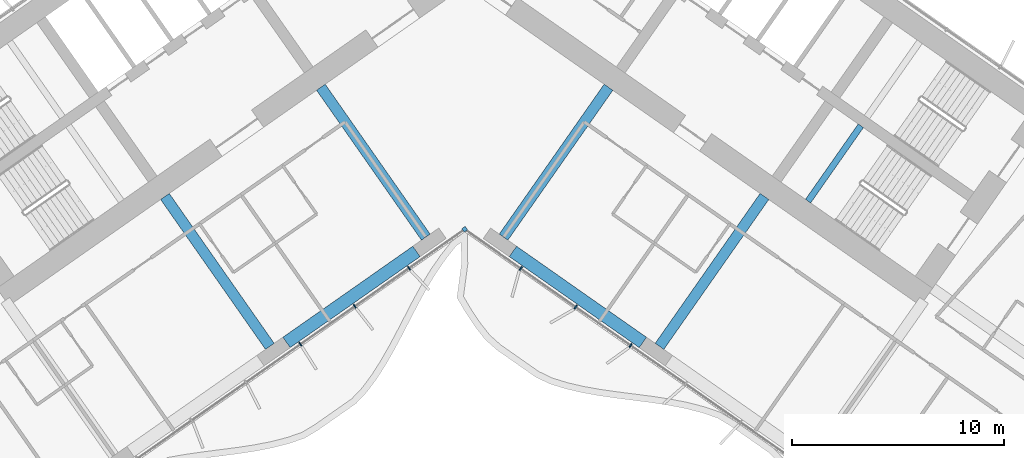
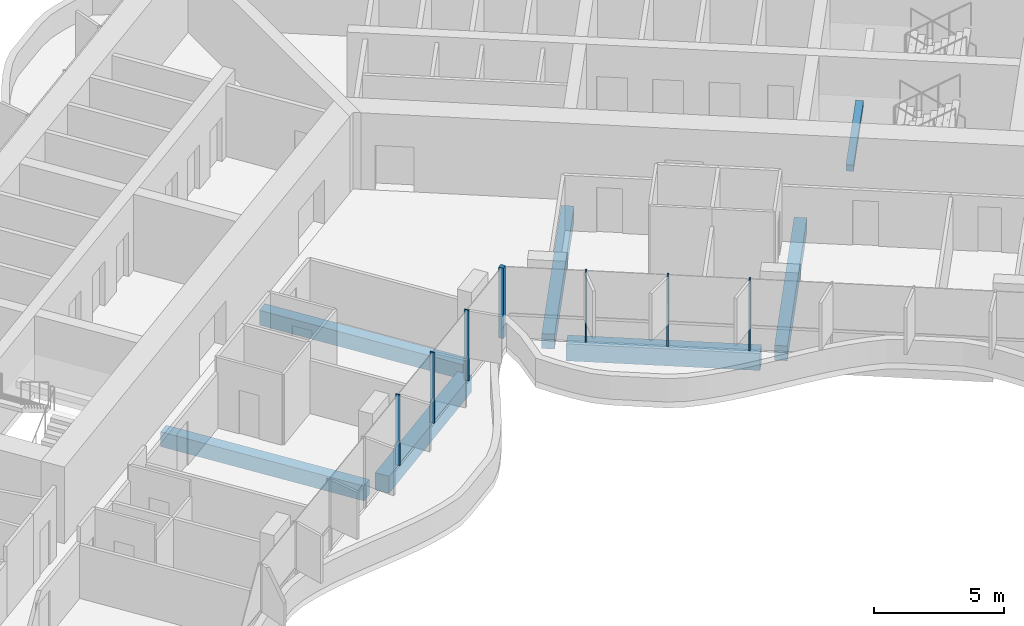
# One storey, part 6 of 23: 7 beams, 7 members, 1 element without a shape of its own.
"""IFC4 building model written with IfcOpenShell, lengths in metres."""

from ifc_helpers import new_model, si_unit, direction, frame, origin, origin_2d, place, context, subcontext, project, spatial, rectangle, extrude, material, material_profile, profile_set, type_object, element, aggregate, save


model = new_model("IFC4")

# Units and contexts
model_context = context("Model", 3, precision=1e-05, world=origin(), true_north=direction((0.0, 1.0)))
body_context = subcontext(model_context, "Body", "Model", "MODEL_VIEW")
ifc_project = project(units=[si_unit("LENGTHUNIT", "METRE"), si_unit("AREAUNIT", "SQUARE_METRE"), si_unit("VOLUMEUNIT", "CUBIC_METRE"), si_unit("PLANEANGLEUNIT", "RADIAN"), si_unit("MASSUNIT", "GRAM", prefix="KILO")], contexts=[model_context])

# Site, building, storey
site_placement = place(None, origin())
site = spatial("IfcSite", under=ifc_project, at=site_placement, CompositionType="ELEMENT")
building_placement = place(site_placement, origin())
building = spatial("IfcBuilding", under=site, at=building_placement, Name="Tel Ilan Convention Tower", CompositionType="ELEMENT")
storey_placement = place(building_placement, frame((0.0, 0.0, 86.89990234375)))
storey = spatial("IfcBuildingStorey", under=building, at=storey_placement, Name="L17", CompositionType="ELEMENT", Elevation=86.89990234375)

# Beams
ifc_material_1 = material(Name="Concrete C40/50", Category="concrete")
ifc_material_profile_1 = material_profile(ifc_material_1, rectangle(XDim=0.5, YDim=0.699951171875, at=origin_2d()), Name="RC 500x700")
ifc_profile_set_1 = profile_set([ifc_material_profile_1], Name="Concrete C40/50")
beam_type_1 = type_object("IfcBeamType", Name="Beam RC 500x700 Concrete C40/50", PredefinedType="BEAM", material=ifc_profile_set_1)
for number, where, z_axis, x_axis, name in (
    (1, (-1.83740234375, -13.06689453125, -0.6298828125), (-0.573574099654, 0.819153680457, 0.0), (-0.819153680457, -0.573574099654, 0.0), "L17 beam W-W-F1-core"),
    (2, (-9.209716796875, -18.229248046875, -0.6298828125), (-0.573574099654, 0.819153680457, 0.0), (-0.819153680457, -0.573574099654, 0.0), "L17 beam W-W-F2-core"),
    (3, (1.83740234375, -13.06689453125, -0.6298828125), (0.573574099654, 0.819153680457, 0.0), (-0.819153680457, 0.573574099654, 0.0), "L17 beam E-E-F1-core"),
    (4, (9.209716796875, -18.229248046875, -0.6298828125), (0.573574099654, 0.819153680457, 0.0), (-0.819153680457, 0.573574099654, 0.0), "L17 beam E-E-F2-core"),
):
    element("IfcBeam", number, at=place(storey_placement, frame(where, z_axis=z_axis, x_axis=x_axis)), inside=storey, type_object=beam_type_1, Name=name, PredefinedType="BEAM", context=body_context, shape_type="SweptSolid", body=[
        extrude(rectangle(XDim=0.5, YDim=0.699951171875, at=origin_2d()), origin(), (0.0, 0.0, 1.0), 8.64990234375),
    ])
ifc_material_2 = material(Name="Concrete C40/50", Category="concrete")
ifc_material_profile_2 = material_profile(ifc_material_2, rectangle(XDim=0.60009765625, YDim=0.800048828125, at=origin_2d()), Name="RC 600x800")
ifc_profile_set_2 = profile_set([ifc_material_profile_2], Name="Concrete C40/50")
beam_type_2 = type_object("IfcBeamType", Name="Beam RC 600x800 Concrete C40/50", PredefinedType="BEAM", material=ifc_profile_set_2)
for number, where, z_axis, x_axis, name in (
    (5, (-2.279541015625, -13.742919921875, -0.679931640625), (-0.819147803225, -0.57358249317, 0.0), (0.57358249317, -0.819147803225, 0.0), "L17 beam W-W-F1-W-F2"),
    (6, (2.279541015625, -13.742919921875, -0.679931640625), (0.819147803225, -0.57358249317, 0.0), (0.57358249317, 0.819147803225, 0.0), "L17 beam E-E-F1-E-F2"),
):
    element("IfcBeam", number, at=place(storey_placement, frame(where, z_axis=z_axis, x_axis=x_axis)), inside=storey, type_object=beam_type_2, Name=name, PredefinedType="BEAM", context=body_context, shape_type="SweptSolid", body=[
        extrude(rectangle(XDim=0.60009765625, YDim=0.800048828125, at=origin_2d()), origin(), (0.0, 0.0, 1.0), 7.500244140625),
    ])

# Curtain wall, members
ifc_material_3 = material(Name="Aluminium, bronze anodised", Category="aluminium")
curtain_wall_type = type_object("IfcCurtainWallType", Name="CW1 UNITISED CURTAIN WALL, HOTEL TINTED GLASS", PredefinedType="NOTDEFINED", material=ifc_material_3)
curtain_wall_placement = place(storey_placement, origin())
curtain_wall = element("IfcCurtainWall", 7, at=curtain_wall_placement, inside=storey, type_object=curtain_wall_type, Name="Curtain wall CW1-15.02", PredefinedType="NOTDEFINED")
ifc_material_4 = material(Name="Aluminium, bronze anodised", Category="aluminium")
ifc_material_profile_3 = material_profile(ifc_material_4, rectangle(XDim=0.199951171875, YDim=0.199951171875, at=origin_2d()), Name="CW CORNER MULLION 200x200")
ifc_profile_set_3 = profile_set([ifc_material_profile_3], Name="Aluminium, bronze anodised")
member_type_1 = type_object("IfcMemberType", Name="CW CORNER MULLION 200x200", PredefinedType="MULLION", material=ifc_profile_set_3)
member_1_placement = place(storey_placement, frame((0.0, -12.696044921875, 0.0), z_axis=(0.0, 0.0, 1.0), x_axis=(0.819152044289, 0.573576436351, 0.0)))
member_1 = element("IfcMember", 8, at=member_1_placement, type_object=member_type_1, Name="Corner mullion", PredefinedType="MULLION", context=body_context, shape_type="SweptSolid", body=[
    extrude(rectangle(XDim=0.199951171875, YDim=0.199951171875, at=origin_2d()), origin(), (0.0, 0.0, 1.0), 3.320068359375),
])
ifc_material_5 = material(Name="Aluminium, bronze anodised", Category="aluminium")
ifc_material_profile_4 = material_profile(ifc_material_5, rectangle(XDim=0.06005859375, YDim=0.199951171875, at=origin_2d()), Name="CW MULLION 60x200")
ifc_profile_set_4 = profile_set([ifc_material_profile_4], Name="Aluminium, bronze anodised")
member_type_2 = type_object("IfcMemberType", Name="CW MULLION 60x200", PredefinedType="MULLION", material=ifc_profile_set_4)
member_2_placement = place(storey_placement, frame((-7.76708984375, -18.134765625, 0.0), z_axis=(0.0, 0.0, 1.0), x_axis=(0.819152044289, 0.573576436351, 0.0)))
member_2 = element("IfcMember", 9, at=member_2_placement, type_object=member_type_2, Name="Mullion", PredefinedType="MULLION", context=body_context, shape_type="SweptSolid", body=[
    extrude(rectangle(XDim=0.06005859375, YDim=0.199951171875, at=origin_2d()), origin(), (0.0, 0.0, 1.0), 3.320068359375),
])
member_3_placement = place(storey_placement, frame((-5.197265625, -16.335205078125, 0.0), z_axis=(0.0, 0.0, 1.0), x_axis=(0.819152044289, 0.573576436351, 0.0)))
member_3 = element("IfcMember", 10, at=member_3_placement, type_object=member_type_2, Name="Mullion", PredefinedType="MULLION", context=body_context, shape_type="SweptSolid", body=[
    extrude(rectangle(XDim=0.06005859375, YDim=0.199951171875, at=origin_2d()), origin(), (0.0, 0.0, 1.0), 3.320068359375),
])
member_4_placement = place(storey_placement, frame((-2.627197265625, -14.53564453125, 0.0), z_axis=(0.0, 0.0, 1.0), x_axis=(0.819152044289, 0.573576436351, 0.0)))
member_4 = element("IfcMember", 11, at=member_4_placement, type_object=member_type_2, Name="Mullion", PredefinedType="MULLION", context=body_context, shape_type="SweptSolid", body=[
    extrude(rectangle(XDim=0.06005859375, YDim=0.199951171875, at=origin_2d()), origin(), (0.0, 0.0, 1.0), 3.320068359375),
])
member_5_placement = place(storey_placement, frame((2.65234375, -14.55322265625, 0.0), z_axis=(0.0, 0.0, 1.0), x_axis=(0.819152044289, -0.573576436351, 0.0)))
member_5 = element("IfcMember", 12, at=member_5_placement, type_object=member_type_2, Name="Mullion", PredefinedType="MULLION", context=body_context, shape_type="SweptSolid", body=[
    extrude(rectangle(XDim=0.06005859375, YDim=0.199951171875, at=origin_2d()), origin(), (0.0, 0.0, 1.0), 3.320068359375),
])
member_6_placement = place(storey_placement, frame((5.24755859375, -16.370361328125, 0.0), z_axis=(0.0, 0.0, 1.0), x_axis=(0.819152044289, -0.573576436351, 0.0)))
member_6 = element("IfcMember", 13, at=member_6_placement, type_object=member_type_2, Name="Mullion", PredefinedType="MULLION", context=body_context, shape_type="SweptSolid", body=[
    extrude(rectangle(XDim=0.06005859375, YDim=0.199951171875, at=origin_2d()), origin(), (0.0, 0.0, 1.0), 3.320068359375),
])
member_7_placement = place(storey_placement, frame((7.842529296875, -18.1875, 0.0), z_axis=(0.0, 0.0, 1.0), x_axis=(0.819152044289, -0.573576436351, 0.0)))
member_7 = element("IfcMember", 14, at=member_7_placement, type_object=member_type_2, Name="Mullion", PredefinedType="MULLION", context=body_context, shape_type="SweptSolid", body=[
    extrude(rectangle(XDim=0.06005859375, YDim=0.199951171875, at=origin_2d()), origin(), (0.0, 0.0, 1.0), 3.320068359375),
])
aggregate(curtain_wall, [member_2, member_3, member_4, member_1, member_5, member_6, member_7])

# Beam
ifc_material_6 = material(Name="Concrete C40/50", Category="concrete")
ifc_material_profile_5 = material_profile(ifc_material_6, rectangle(XDim=0.300048828125, YDim=0.300048828125, at=origin_2d()), Name="RC 300x300")
ifc_profile_set_5 = profile_set([ifc_material_profile_5], Name="Concrete C40/50")
beam_type_3 = type_object("IfcBeamType", Name="Landing Beam RC 300x300 Concrete C40/50", PredefinedType="BEAM", material=ifc_profile_set_5)
beam_placement = place(storey_placement, frame((18.726806640625, -7.80224609375, 1.4501953125), z_axis=(-0.573594173421, -0.819139624372, 0.0), x_axis=(0.819139624372, -0.573594173421, 0.0)))
element("IfcBeam", 15, at=beam_placement, inside=storey, type_object=beam_type_3, Name="S4 landing beam L17.1", PredefinedType="BEAM", context=body_context, shape_type="SweptSolid", body=[
    extrude(rectangle(XDim=0.300048828125, YDim=0.300048828125, at=origin_2d()), origin(), (0.0, 0.0, 1.0), 4.349853515625),
])

save(model, "model.ifc")
